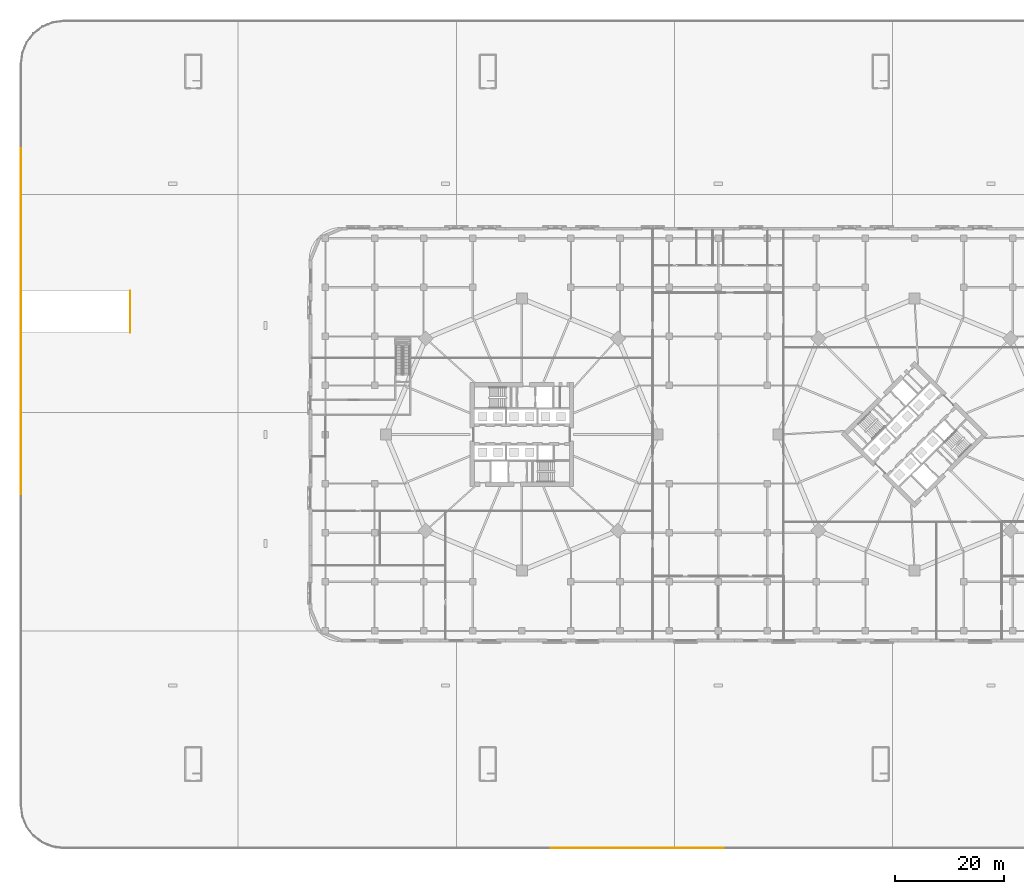
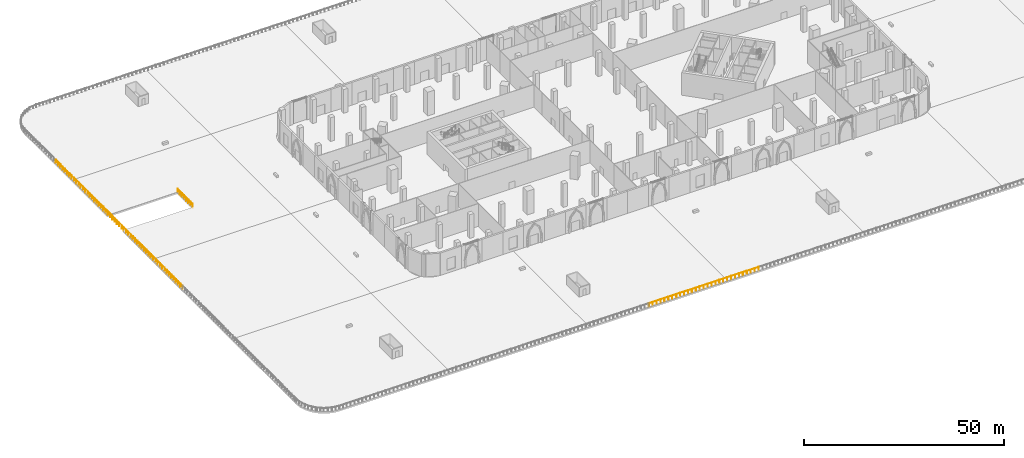
# One storey, part 37 of 48: 13 railings.
"""IFC4 building model written with IfcOpenShell, lengths in metres."""

from ifc_helpers import new_model, si_unit, direction, frame, origin, origin_2d, place, context, subcontext, project, spatial, circle, extrude, material, type_object, element, save


model = new_model("IFC4")

# Units and contexts
model_context = context("Model", 3, precision=1e-05, world=origin(), true_north=direction((0.0, 1.0)))
body_context = subcontext(model_context, "Body", "Model", "MODEL_VIEW")
ifc_project = project(units=[si_unit("LENGTHUNIT", "METRE"), si_unit("AREAUNIT", "SQUARE_METRE"), si_unit("VOLUMEUNIT", "CUBIC_METRE"), si_unit("PLANEANGLEUNIT", "RADIAN"), si_unit("MASSUNIT", "GRAM", prefix="KILO")], contexts=[model_context])

# Site, building, storey
site_placement = place(None, origin())
site = spatial("IfcSite", under=ifc_project, at=site_placement, CompositionType="ELEMENT")
building_placement = place(site_placement, origin())
building = spatial("IfcBuilding", under=site, at=building_placement, Name="Ogive Gate Towers", CompositionType="ELEMENT")
storey_placement = place(building_placement, origin())
storey = spatial("IfcBuildingStorey", under=building, at=storey_placement, Name="L00", CompositionType="ELEMENT", Elevation=0.0)

# Railings
ifc_material_1 = material(Name="Painted steel", Category="steel")
railing_type_1 = type_object("IfcRailingType", Name="Car park guard 1100", PredefinedType="GUARDRAIL", material=ifc_material_1)
railing_placement = place(storey_placement, frame((-107.77490234375, 18.699951171875, 0.0)))
element("IfcRailing", 1, at=railing_placement, inside=storey, type_object=railing_type_1, Name="Ramp opening guard 02", PredefinedType="GUARDRAIL", context=body_context, shape_type="SweptSolid", body=[
    extrude(circle(Radius=0.02392578125, at=origin_2d()), frame((0.0, 0.0, 1.076171875), z_axis=(0.0, 1.0, 0.0), x_axis=(-1.0, 0.0, 0.0)), (0.0, 0.0, 1.0), 7.60009765625),
    extrude(circle(Radius=0.02099609375, at=origin_2d()), origin(), (0.0, 0.0, 1.0), 1.052001953125),
    extrude(circle(Radius=0.02099609375, at=origin_2d()), frame((0.0, 1.085693359375, 0.0)), (0.0, 0.0, 1.0), 1.052001953125),
    extrude(circle(Radius=0.02099609375, at=origin_2d()), frame((0.0, 2.17138671875, 0.0)), (0.0, 0.0, 1.0), 1.052001953125),
    extrude(circle(Radius=0.02099609375, at=origin_2d()), frame((0.0, 3.257080078125, 0.0)), (0.0, 0.0, 1.0), 1.052001953125),
    extrude(circle(Radius=0.02099609375, at=origin_2d()), frame((0.0, 4.343017578125, 0.0)), (0.0, 0.0, 1.0), 1.052001953125),
    extrude(circle(Radius=0.02099609375, at=origin_2d()), frame((0.0, 5.4287109375, 0.0)), (0.0, 0.0, 1.0), 1.052001953125),
    extrude(circle(Radius=0.02099609375, at=origin_2d()), frame((0.0, 6.514404296875, 0.0)), (0.0, 0.0, 1.0), 1.052001953125),
    extrude(circle(Radius=0.02099609375, at=origin_2d()), frame((0.0, 7.60009765625, 0.0)), (0.0, 0.0, 1.0), 1.052001953125),
])
ifc_material_2 = material(Name="Stainless steel", Category="steel")
railing_type_2 = type_object("IfcRailingType", Name="Guard 1100", PredefinedType="GUARDRAIL", material=ifc_material_2)
for number, where, name in (
    (2, (-127.800048828125, 52.46435546875, 0.0), "Garden deck guard"),
    (3, (-127.800048828125, 44.534912109375, 0.0), "Garden deck guard"),
    (4, (-127.800048828125, 36.605712890625, 0.0), "Garden deck guard"),
    (5, (-127.800048828125, 28.67626953125, 0.0), "Garden deck guard"),
    (6, (-127.800048828125, 20.746826171875, 0.0), "Garden deck guard"),
    (7, (-127.800048828125, 12.8173828125, 0.0), "Garden deck guard"),
    (8, (-127.800048828125, 4.887939453125, 0.0), "Garden deck guard"),
    (9, (-127.800048828125, -3.04150390625, 0.0), "Garden deck guard"),
):
    element("IfcRailing", number, at=place(storey_placement, frame(where)), inside=storey, type_object=railing_type_2, Name=name, PredefinedType="GUARDRAIL", context=body_context, shape_type="SweptSolid", body=[
        extrude(circle(Radius=0.02392578125, at=origin_2d()), frame((0.0, 0.0, 1.076171875), z_axis=(0.0, -1.0, 0.0), x_axis=(1.0, 0.0, 0.0)), (0.0, 0.0, 1.0), 7.87939453125),
        extrude(circle(Radius=0.02099609375, at=origin_2d()), origin(), (0.0, 0.0, 1.0), 1.052001953125),
        extrude(circle(Radius=0.02099609375, at=origin_2d()), frame((0.0, -1.125732421875, 0.0)), (0.0, 0.0, 1.0), 1.052001953125),
        extrude(circle(Radius=0.02099609375, at=origin_2d()), frame((0.0, -2.251220703125, 0.0)), (0.0, 0.0, 1.0), 1.052001953125),
        extrude(circle(Radius=0.02099609375, at=origin_2d()), frame((0.0, -3.376953125, 0.0)), (0.0, 0.0, 1.0), 1.052001953125),
        extrude(circle(Radius=0.02099609375, at=origin_2d()), frame((0.0, -4.50244140625, 0.0)), (0.0, 0.0, 1.0), 1.052001953125),
        extrude(circle(Radius=0.02099609375, at=origin_2d()), frame((0.0, -5.628173828125, 0.0)), (0.0, 0.0, 1.0), 1.052001953125),
        extrude(circle(Radius=0.02099609375, at=origin_2d()), frame((0.0, -6.753662109375, 0.0)), (0.0, 0.0, 1.0), 1.052001953125),
        extrude(circle(Radius=0.02099609375, at=origin_2d()), frame((0.0, -7.87939453125, 0.0)), (0.0, 0.0, 1.0), 1.052001953125),
    ])
for number, where, name in (
    (10, (-30.658447265625, -75.800048828125, 0.0), "Garden deck guard"),
    (11, (-22.72900390625, -75.800048828125, 0.0), "Garden deck guard"),
    (12, (-14.7998046875, -75.800048828125, 0.0), "Garden deck guard"),
    (13, (-6.870361328125, -75.800048828125, 0.0), "Garden deck guard"),
):
    element("IfcRailing", number, at=place(storey_placement, frame(where)), inside=storey, type_object=railing_type_2, Name=name, PredefinedType="GUARDRAIL", context=body_context, shape_type="SweptSolid", body=[
        extrude(circle(Radius=0.02392578125, at=origin_2d()), frame((0.0, 0.0, 1.076171875), z_axis=(1.0, 0.0, 0.0), x_axis=(0.0, 1.0, 0.0)), (0.0, 0.0, 1.0), 7.87939453125),
        extrude(circle(Radius=0.02099609375, at=origin_2d()), origin(), (0.0, 0.0, 1.0), 1.052001953125),
        extrude(circle(Radius=0.02099609375, at=origin_2d()), frame((1.125732421875, 0.0, 0.0)), (0.0, 0.0, 1.0), 1.052001953125),
        extrude(circle(Radius=0.02099609375, at=origin_2d()), frame((2.251220703125, 0.0, 0.0)), (0.0, 0.0, 1.0), 1.052001953125),
        extrude(circle(Radius=0.02099609375, at=origin_2d()), frame((3.376953125, 0.0, 0.0)), (0.0, 0.0, 1.0), 1.052001953125),
        extrude(circle(Radius=0.02099609375, at=origin_2d()), frame((4.50244140625, 0.0, 0.0)), (0.0, 0.0, 1.0), 1.052001953125),
        extrude(circle(Radius=0.02099609375, at=origin_2d()), frame((5.628173828125, 0.0, 0.0)), (0.0, 0.0, 1.0), 1.052001953125),
        extrude(circle(Radius=0.02099609375, at=origin_2d()), frame((6.753662109375, 0.0, 0.0)), (0.0, 0.0, 1.0), 1.052001953125),
        extrude(circle(Radius=0.02099609375, at=origin_2d()), frame((7.87939453125, 0.0, 0.0)), (0.0, 0.0, 1.0), 1.052001953125),
    ])

save(model, "model.ifc")
